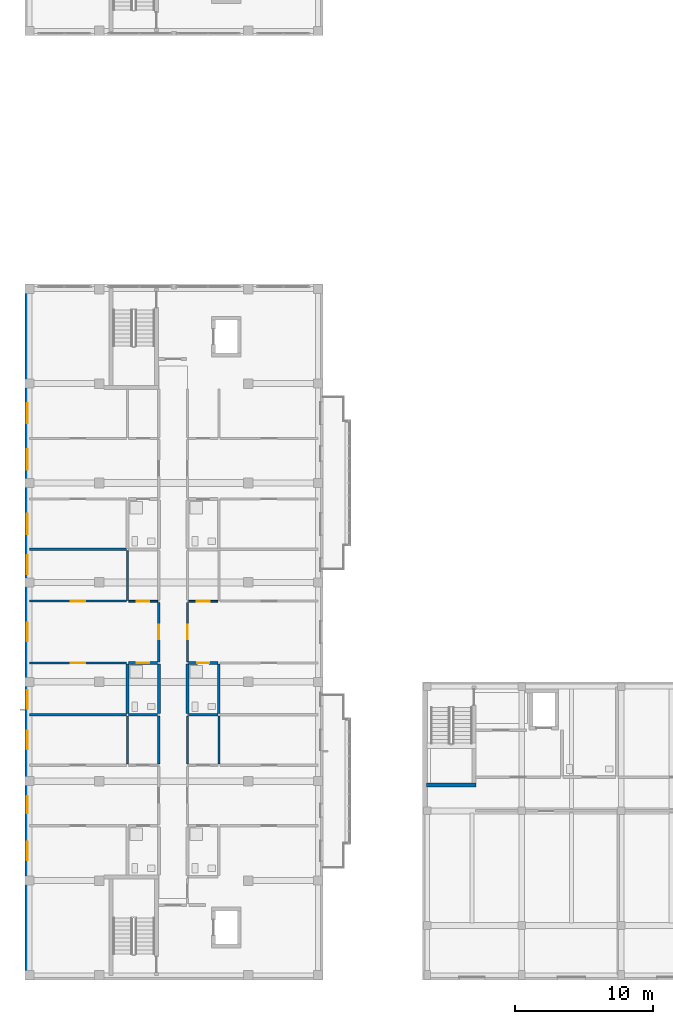
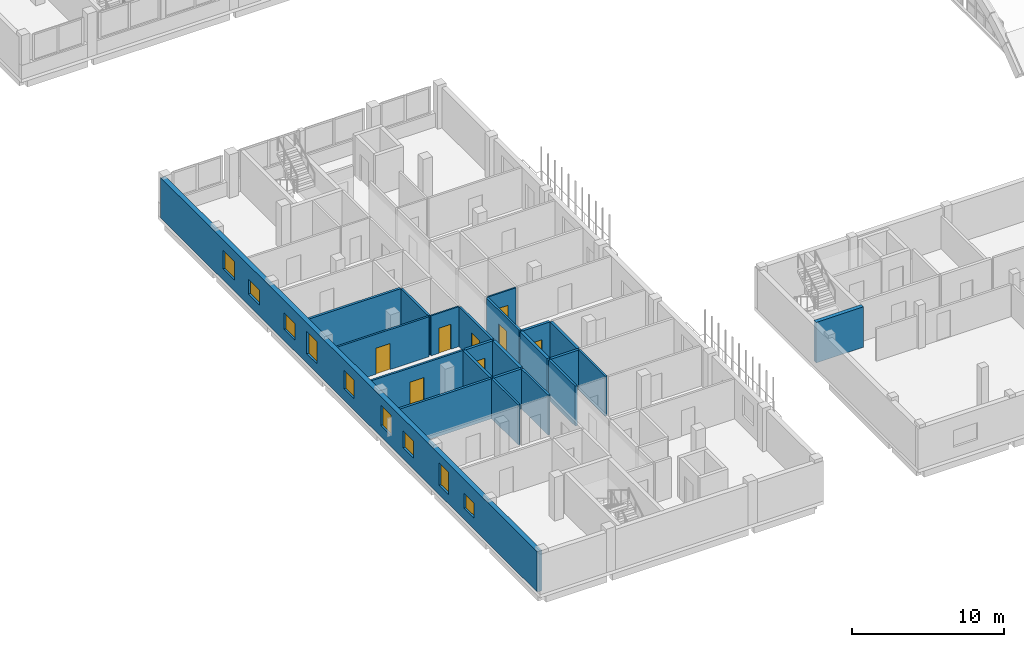
# One storey, part 36 of 73: 23 walls, 9 windows, 8 doors, 17 openings.
"""IFC4 building model written with IfcOpenShell, lengths in metres."""

from ifc_helpers import new_model, si_unit, derived_unit, direction, frame, frame_2d, origin, place, context, subcontext, project, spatial, rectangle, extrude, material, layer, layer_set, type_object, element, fill, save


model = new_model("IFC4")

# Units and contexts
model_context = context("Model", 3, precision=1e-05, world=origin(), true_north=direction((0.0, 1.0)))
body_context = subcontext(model_context, "Body", "Model", "MODEL_VIEW")
ifc_project = project(units=[si_unit("LENGTHUNIT", "METRE"), si_unit("AREAUNIT", "SQUARE_METRE"), si_unit("VOLUMEUNIT", "CUBIC_METRE"), si_unit("PLANEANGLEUNIT", "RADIAN"), si_unit("MASSUNIT", "GRAM", prefix="KILO"), derived_unit("THERMALTRANSMITTANCEUNIT", [(si_unit("MASSUNIT", "GRAM", prefix="KILO"), 1), (si_unit("TIMEUNIT", "SECOND"), -3), (si_unit("THERMODYNAMICTEMPERATUREUNIT", "KELVIN"), -1)])], contexts=[model_context])

# Site, building, storey
site_placement = place(None, origin())
site = spatial("IfcSite", under=ifc_project, at=site_placement, CompositionType="ELEMENT")
building_placement = place(site_placement, origin())
building = spatial("IfcBuilding", under=site, at=building_placement, Name="Ochrekiln Boulevard Commons", CompositionType="ELEMENT")
storey_placement = place(building_placement, frame((0.0, 0.0, 8.574951171875)))
storey = spatial("IfcBuildingStorey", under=building, at=storey_placement, Name="L02", CompositionType="ELEMENT", Elevation=8.574951171875)

# Wall, openings, windows
ifc_material_1 = material(Name="Iron-spot brown clinker brick masonry ASTM C216 Grade SW", Category="masonry")
ifc_layer_1 = layer(ifc_material_1, 0.364990234375)
ifc_layer_set_1 = layer_set([ifc_layer_1], Name="Iron-spot brown clinker brick masonry ASTM C216 Grade SW")
wall_type_1 = type_object("IfcWallType", Name="WL-EXT-IRON-365", PredefinedType="SOLIDWALL", material=ifc_layer_set_1)
wall_1_placement = place(storey_placement, frame((0.1826171875, 0.364990234375, 0.0), z_axis=(0.0, 0.0, 1.0), x_axis=(0.0, 1.0, 0.0)))
wall_1 = element("IfcWall", 1, at=wall_1_placement, inside=storey, type_object=wall_type_1, Name="Block D L02 W Exterior Wall", PredefinedType="SOLIDWALL", context=body_context, shape_type="SweptSolid", body=[
    extrude(rectangle(XDim=49.669921875, YDim=0.364990234375, at=frame_2d((24.8349609375, 0.0))), origin(), (0.0, 0.0, 1.0), 3.239990234375),
])
opening_1_placement = place(wall_1_placement, frame((11.700927734375, 0.0, 0.7548828125)))
opening_1 = element("IfcOpeningElement", 2, at=opening_1_placement, cuts=wall_1, Name="Opening W-20", PredefinedType="OPENING", context=body_context, shape_type="SweptSolid", body=[
    extrude(rectangle(XDim=1.25, YDim=1.800048828125, at=frame_2d((0.625, 0.89990234375))), frame((0.0, 0.1923828125, 0.0), z_axis=(0.0, -1.0, 0.0), x_axis=(1.0, 0.0, 0.0)), (0.0, 0.0, 1.0), 0.385009765625),
])
opening_2_placement = place(wall_1_placement, frame((8.305908203125, 0.0, 0.89990234375)))
opening_2 = element("IfcOpeningElement", 3, at=opening_2_placement, cuts=wall_1, Name="Opening W-21", PredefinedType="OPENING", context=body_context, shape_type="SweptSolid", body=[
    extrude(rectangle(XDim=1.35009765625, YDim=1.199951171875, at=frame_2d((0.675048828125, 0.60009765625))), frame((0.0, 0.1923828125, 0.0), z_axis=(0.0, -1.0, 0.0), x_axis=(1.0, 0.0, 0.0)), (0.0, 0.0, 1.0), 0.385009765625),
])
opening_3_placement = place(wall_1_placement, frame((16.340087890625, 0.0, 0.89990234375)))
opening_3 = element("IfcOpeningElement", 4, at=opening_3_placement, cuts=wall_1, Name="Opening W-22", PredefinedType="OPENING", context=body_context, shape_type="SweptSolid", body=[
    extrude(rectangle(XDim=1.35009765625, YDim=1.35009765625, at=frame_2d((0.675048828125, 0.675048828125))), frame((0.0, 0.1923828125, 0.0), z_axis=(0.0, -1.0, 0.0), x_axis=(1.0, 0.0, 0.0)), (0.0, 0.0, 1.0), 0.385009765625),
])
opening_4_placement = place(wall_1_placement, frame((24.159912109375, 0.0, 0.89990234375)))
opening_4 = element("IfcOpeningElement", 5, at=opening_4_placement, cuts=wall_1, Name="Opening W-23", PredefinedType="OPENING", context=body_context, shape_type="SweptSolid", body=[
    extrude(rectangle(XDim=1.35009765625, YDim=1.5, at=frame_2d((0.675048828125, 0.75))), frame((0.0, 0.1923828125, 0.0), z_axis=(0.0, -1.0, 0.0), x_axis=(1.0, 0.0, 0.0)), (0.0, 0.0, 1.0), 0.385009765625),
])
opening_5_placement = place(wall_1_placement, frame((19.278076171875, 0.0, 0.89990234375)))
opening_5 = element("IfcOpeningElement", 6, at=opening_5_placement, cuts=wall_1, Name="Opening W-24", PredefinedType="OPENING", context=body_context, shape_type="SweptSolid", body=[
    extrude(rectangle(XDim=1.35009765625, YDim=1.64990234375, at=frame_2d((0.675048828125, 0.824951171875))), frame((0.0, 0.1923828125, 0.0), z_axis=(0.0, -1.0, 0.0), x_axis=(1.0, 0.0, 0.0)), (0.0, 0.0, 1.0), 0.385009765625),
])
opening_6_placement = place(wall_1_placement, frame((29.0419921875, 0.0, 0.7548828125)))
opening_6 = element("IfcOpeningElement", 7, at=opening_6_placement, cuts=wall_1, Name="Opening W-25", PredefinedType="OPENING", context=body_context, shape_type="SweptSolid", body=[
    extrude(rectangle(XDim=1.35009765625, YDim=1.800048828125, at=frame_2d((0.675048828125, 0.89990234375))), frame((0.0, 0.1923828125, 0.0), z_axis=(0.0, -1.0, 0.0), x_axis=(1.0, 0.0, 0.0)), (0.0, 0.0, 1.0), 0.385009765625),
])
opening_7_placement = place(wall_1_placement, frame((36.60302734375, 0.0, 0.89990234375)))
opening_7 = element("IfcOpeningElement", 8, at=opening_7_placement, cuts=wall_1, Name="Opening W-26", PredefinedType="OPENING", context=body_context, shape_type="SweptSolid", body=[
    extrude(rectangle(XDim=1.47998046875, YDim=1.199951171875, at=frame_2d((0.739990234375, 0.60009765625))), frame((0.0, 0.1923828125, 0.0), z_axis=(0.0, -1.0, 0.0), x_axis=(1.0, 0.0, 0.0)), (0.0, 0.0, 1.0), 0.385009765625),
])
opening_8_placement = place(wall_1_placement, frame((31.9150390625, 0.0, 0.89990234375)))
opening_8 = element("IfcOpeningElement", 9, at=opening_8_placement, cuts=wall_1, Name="Opening W-27", PredefinedType="OPENING", context=body_context, shape_type="SweptSolid", body=[
    extrude(rectangle(XDim=1.47998046875, YDim=1.35009765625, at=frame_2d((0.739990234375, 0.675048828125))), frame((0.0, 0.1923828125, 0.0), z_axis=(0.0, -1.0, 0.0), x_axis=(1.0, 0.0, 0.0)), (0.0, 0.0, 1.0), 0.385009765625),
])
opening_9_placement = place(wall_1_placement, frame((39.947998046875, 0.0, 0.89990234375)))
opening_9 = element("IfcOpeningElement", 10, at=opening_9_placement, cuts=wall_1, Name="Opening W-28", PredefinedType="OPENING", context=body_context, shape_type="SweptSolid", body=[
    extrude(rectangle(XDim=1.47998046875, YDim=1.5, at=frame_2d((0.739990234375, 0.75))), frame((0.0, 0.1923828125, 0.0), z_axis=(0.0, -1.0, 0.0), x_axis=(1.0, 0.0, 0.0)), (0.0, 0.0, 1.0), 0.385009765625),
])
ifc_material_2 = material(Name="Thermally broken aluminium-clad oak frame", Category="aluminium")
window_type_1 = type_object("IfcWindowType", Name="WIN-EXT-20", PartitioningType="SINGLE_PANEL", PredefinedType="WINDOW", material=ifc_material_2)
window_1_placement = place(opening_1_placement, origin())
window_1 = element("IfcWindow", 11, at=window_1_placement, inside=storey, type_object=window_type_1, Name="Block D L02 Punched Masonry Window W-20", OverallHeight=1.800048828125, OverallWidth=1.25, PartitioningType="SINGLE_PANEL", PredefinedType="WINDOW", context=body_context, shape_type="SweptSolid", body=[
    extrude(rectangle(XDim=1.25, YDim=1.800048828125, at=frame_2d((0.625, 0.89990234375))), frame((0.0, 0.030029296875, 0.0), z_axis=(0.0, -1.0, 0.0), x_axis=(1.0, 0.0, 0.0)), (0.0, 0.0, 1.0), 0.06005859375),
])
fill(opening_1, window_1)
window_type_2 = type_object("IfcWindowType", Name="WIN-EXT-21", PartitioningType="SINGLE_PANEL", PredefinedType="WINDOW", material=ifc_material_2)
window_2_placement = place(opening_2_placement, origin())
window_2 = element("IfcWindow", 12, at=window_2_placement, inside=storey, type_object=window_type_2, Name="Block D L02 Punched Masonry Window W-21", OverallHeight=1.199951171875, OverallWidth=1.35009765625, PartitioningType="SINGLE_PANEL", PredefinedType="WINDOW", context=body_context, shape_type="SweptSolid", body=[
    extrude(rectangle(XDim=1.35009765625, YDim=1.199951171875, at=frame_2d((0.675048828125, 0.60009765625))), frame((0.0, 0.030029296875, 0.0), z_axis=(0.0, -1.0, 0.0), x_axis=(1.0, 0.0, 0.0)), (0.0, 0.0, 1.0), 0.06005859375),
])
fill(opening_2, window_2)
window_type_3 = type_object("IfcWindowType", Name="WIN-EXT-22", PartitioningType="SINGLE_PANEL", PredefinedType="WINDOW", material=ifc_material_2)
window_3_placement = place(opening_3_placement, origin())
window_3 = element("IfcWindow", 13, at=window_3_placement, inside=storey, type_object=window_type_3, Name="Block D L02 Punched Masonry Window W-22", OverallHeight=1.35009765625, OverallWidth=1.35009765625, PartitioningType="SINGLE_PANEL", PredefinedType="WINDOW", context=body_context, shape_type="SweptSolid", body=[
    extrude(rectangle(XDim=1.35009765625, YDim=1.35009765625, at=frame_2d((0.675048828125, 0.675048828125))), frame((0.0, 0.030029296875, 0.0), z_axis=(0.0, -1.0, 0.0), x_axis=(1.0, 0.0, 0.0)), (0.0, 0.0, 1.0), 0.06005859375),
])
fill(opening_3, window_3)
window_type_4 = type_object("IfcWindowType", Name="WIN-EXT-23", PartitioningType="SINGLE_PANEL", PredefinedType="WINDOW", material=ifc_material_2)
window_4_placement = place(opening_4_placement, origin())
window_4 = element("IfcWindow", 14, at=window_4_placement, inside=storey, type_object=window_type_4, Name="Block D L02 Punched Masonry Window W-23", OverallHeight=1.5, OverallWidth=1.35009765625, PartitioningType="SINGLE_PANEL", PredefinedType="WINDOW", context=body_context, shape_type="SweptSolid", body=[
    extrude(rectangle(XDim=1.35009765625, YDim=1.5, at=frame_2d((0.675048828125, 0.75))), frame((0.0, 0.030029296875, 0.0), z_axis=(0.0, -1.0, 0.0), x_axis=(1.0, 0.0, 0.0)), (0.0, 0.0, 1.0), 0.06005859375),
])
fill(opening_4, window_4)
window_type_5 = type_object("IfcWindowType", Name="WIN-EXT-24", PartitioningType="SINGLE_PANEL", PredefinedType="WINDOW", material=ifc_material_2)
window_5_placement = place(opening_5_placement, origin())
window_5 = element("IfcWindow", 15, at=window_5_placement, inside=storey, type_object=window_type_5, Name="Block D L02 Punched Masonry Window W-24", OverallHeight=1.64990234375, OverallWidth=1.35009765625, PartitioningType="SINGLE_PANEL", PredefinedType="WINDOW", context=body_context, shape_type="SweptSolid", body=[
    extrude(rectangle(XDim=1.35009765625, YDim=1.64990234375, at=frame_2d((0.675048828125, 0.824951171875))), frame((0.0, 0.030029296875, 0.0), z_axis=(0.0, -1.0, 0.0), x_axis=(1.0, 0.0, 0.0)), (0.0, 0.0, 1.0), 0.06005859375),
])
fill(opening_5, window_5)
window_type_6 = type_object("IfcWindowType", Name="WIN-EXT-25", PartitioningType="SINGLE_PANEL", PredefinedType="WINDOW", material=ifc_material_2)
window_6_placement = place(opening_6_placement, origin())
window_6 = element("IfcWindow", 16, at=window_6_placement, inside=storey, type_object=window_type_6, Name="Block D L02 Punched Masonry Window W-25", OverallHeight=1.800048828125, OverallWidth=1.35009765625, PartitioningType="SINGLE_PANEL", PredefinedType="WINDOW", context=body_context, shape_type="SweptSolid", body=[
    extrude(rectangle(XDim=1.35009765625, YDim=1.800048828125, at=frame_2d((0.675048828125, 0.89990234375))), frame((0.0, 0.030029296875, 0.0), z_axis=(0.0, -1.0, 0.0), x_axis=(1.0, 0.0, 0.0)), (0.0, 0.0, 1.0), 0.06005859375),
])
fill(opening_6, window_6)
window_type_7 = type_object("IfcWindowType", Name="WIN-EXT-26", PartitioningType="SINGLE_PANEL", PredefinedType="WINDOW", material=ifc_material_2)
window_7_placement = place(opening_7_placement, origin())
window_7 = element("IfcWindow", 17, at=window_7_placement, inside=storey, type_object=window_type_7, Name="Block D L02 Punched Masonry Window W-26", OverallHeight=1.199951171875, OverallWidth=1.47998046875, PartitioningType="SINGLE_PANEL", PredefinedType="WINDOW", context=body_context, shape_type="SweptSolid", body=[
    extrude(rectangle(XDim=1.47998046875, YDim=1.199951171875, at=frame_2d((0.739990234375, 0.60009765625))), frame((0.0, 0.030029296875, 0.0), z_axis=(0.0, -1.0, 0.0), x_axis=(1.0, 0.0, 0.0)), (0.0, 0.0, 1.0), 0.06005859375),
])
fill(opening_7, window_7)
window_type_8 = type_object("IfcWindowType", Name="WIN-EXT-27", PartitioningType="SINGLE_PANEL", PredefinedType="WINDOW", material=ifc_material_2)
window_8_placement = place(opening_8_placement, origin())
window_8 = element("IfcWindow", 18, at=window_8_placement, inside=storey, type_object=window_type_8, Name="Block D L02 Punched Masonry Window W-27", OverallHeight=1.35009765625, OverallWidth=1.47998046875, PartitioningType="SINGLE_PANEL", PredefinedType="WINDOW", context=body_context, shape_type="SweptSolid", body=[
    extrude(rectangle(XDim=1.47998046875, YDim=1.35009765625, at=frame_2d((0.739990234375, 0.675048828125))), frame((0.0, 0.030029296875, 0.0), z_axis=(0.0, -1.0, 0.0), x_axis=(1.0, 0.0, 0.0)), (0.0, 0.0, 1.0), 0.06005859375),
])
fill(opening_8, window_8)
window_type_9 = type_object("IfcWindowType", Name="WIN-EXT-28", PartitioningType="SINGLE_PANEL", PredefinedType="WINDOW", material=ifc_material_2)
window_9_placement = place(opening_9_placement, origin())
window_9 = element("IfcWindow", 19, at=window_9_placement, inside=storey, type_object=window_type_9, Name="Block D L02 Punched Masonry Window W-28", OverallHeight=1.5, OverallWidth=1.47998046875, PartitioningType="SINGLE_PANEL", PredefinedType="WINDOW", context=body_context, shape_type="SweptSolid", body=[
    extrude(rectangle(XDim=1.47998046875, YDim=1.5, at=frame_2d((0.739990234375, 0.75))), frame((0.0, 0.030029296875, 0.0), z_axis=(0.0, -1.0, 0.0), x_axis=(1.0, 0.0, 0.0)), (0.0, 0.0, 1.0), 0.06005859375),
])
fill(opening_9, window_9)

# Wall
ifc_material_3 = material(Name="Moisture-resistant cementitious tile backer wall")
ifc_layer_2 = layer(ifc_material_3, 0.199951171875)
ifc_layer_set_2 = layer_set([ifc_layer_2], Name="Moisture-resistant cementitious tile backer wall")
wall_type_2 = type_object("IfcWallType", Name="WL-PLM-200", PredefinedType="PLUMBINGWALL", material=ifc_layer_set_2)
wall_2_placement = place(storey_placement, frame((7.52001953125, 19.216064453125, 0.0), z_axis=(0.0, 0.0, 1.0), x_axis=(1.0, 0.0, 0.0)))
element("IfcWall", 20, at=wall_2_placement, inside=storey, type_object=wall_type_2, Name="L02 Interior Wall W-PW200", PredefinedType="PLUMBINGWALL", context=body_context, shape_type="SweptSolid", body=[
    extrude(rectangle(XDim=2.10791015625, YDim=0.199951171875, at=frame_2d((1.053955078125, 0.0))), origin(), (0.0, 0.0, 1.0), 3.219970703125),
])

# Wall, opening, door
wall_3_placement = place(storey_placement, frame((7.52001953125, 22.9599609375, 0.0), z_axis=(0.0, 0.0, 1.0), x_axis=(1.0, 0.0, 0.0)))
wall_3 = element("IfcWall", 21, at=wall_3_placement, inside=storey, type_object=wall_type_2, Name="L02 Interior Wall W-PW200", PredefinedType="PLUMBINGWALL", context=body_context, shape_type="SweptSolid", body=[
    extrude(rectangle(XDim=2.10791015625, YDim=0.199951171875, at=frame_2d((1.053955078125, 0.0))), origin(), (0.0, 0.0, 1.0), 3.219970703125),
])
opening_10_placement = place(wall_3_placement, frame((0.60498046875, 0.0, 0.0)))
opening_10 = element("IfcOpeningElement", 22, at=opening_10_placement, cuts=wall_3, Name="Opening D-L02-410", PredefinedType="OPENING", context=body_context, shape_type="SweptSolid", body=[
    extrude(rectangle(XDim=0.889892578125, YDim=2.030029296875, at=frame_2d((0.44482421875, 1.01513671875))), frame((0.0, 0.10986328125, 0.0), z_axis=(0.0, -1.0, 0.0), x_axis=(1.0, 0.0, 0.0)), (0.0, 0.0, 1.0), 0.219970703125),
])
ifc_material_4 = material(Name="Solid core architectural oak door leaf")
door_type_1 = type_object("IfcDoorType", Name="DR-INT-BTH-089", OperationType="NOTDEFINED", PredefinedType="DOOR", material=ifc_material_4)
door_1_placement = place(opening_10_placement, frame((0.889892578125, 0.0, 0.0), z_axis=(0.0, 0.0, 1.0), x_axis=(-1.0, 0.0, 0.0)))
door_1 = element("IfcDoor", 23, at=door_1_placement, inside=storey, type_object=door_type_1, Name="L02 Interior Door to Apartment Bathroom", OperationType="SINGLE_SWING_RIGHT", OverallHeight=2.030029296875, OverallWidth=0.889892578125, PredefinedType="DOOR", context=body_context, shape_type="SweptSolid", body=[
    extrude(rectangle(XDim=0.889892578125, YDim=2.030029296875, at=frame_2d((0.44482421875, 1.01513671875))), frame((0.0, 0.02490234375, 0.0), z_axis=(0.0, -1.0, 0.0), x_axis=(1.0, 0.0, 0.0)), (0.0, 0.0, 1.0), 0.050048828125),
])
fill(opening_10, door_1)

# Walls
wall_4_placement = place(storey_placement, frame((7.43994140625, 19.305908203125, 0.0), z_axis=(0.0, 0.0, 1.0), x_axis=(0.0, 1.0, 0.0)))
element("IfcWall", 24, at=wall_4_placement, inside=storey, type_object=wall_type_2, Name="L02 Interior Wall W-PW200", PredefinedType="PLUMBINGWALL", context=body_context, shape_type="SweptSolid", body=[
    extrude(rectangle(XDim=3.5791015625, YDim=0.199951171875, at=frame_2d((1.78955078125, 0.0))), origin(), (0.0, 0.0, 1.0), 3.219970703125),
])
wall_5_placement = place(storey_placement, frame((11.8720703125, 19.216064453125, 0.0), z_axis=(0.0, 0.0, 1.0), x_axis=(1.0, 0.0, 0.0)))
element("IfcWall", 25, at=wall_5_placement, inside=storey, type_object=wall_type_2, Name="L02 Interior Wall W-PW200", PredefinedType="PLUMBINGWALL", context=body_context, shape_type="SweptSolid", body=[
    extrude(rectangle(XDim=2.113037109375, YDim=0.199951171875, at=frame_2d((1.056640625, 0.0))), origin(), (0.0, 0.0, 1.0), 3.219970703125),
])

# Wall, opening, door
wall_6_placement = place(storey_placement, frame((11.8720703125, 22.9599609375, 0.0), z_axis=(0.0, 0.0, 1.0), x_axis=(1.0, 0.0, 0.0)))
wall_6 = element("IfcWall", 26, at=wall_6_placement, inside=storey, type_object=wall_type_2, Name="L02 Interior Wall W-PW200", PredefinedType="PLUMBINGWALL", context=body_context, shape_type="SweptSolid", body=[
    extrude(rectangle(XDim=2.10791015625, YDim=0.199951171875, at=frame_2d((1.053955078125, 0.0))), origin(), (0.0, 0.0, 1.0), 3.219970703125),
])
opening_11_placement = place(wall_6_placement, frame((0.6279296875, 0.0, 0.0)))
opening_11 = element("IfcOpeningElement", 27, at=opening_11_placement, cuts=wall_6, Name="Opening D-L02-422", PredefinedType="OPENING", context=body_context, shape_type="SweptSolid", body=[
    extrude(rectangle(XDim=0.860107421875, YDim=2.0, at=frame_2d((0.43017578125, 1.0))), frame((0.0, 0.10986328125, 0.0), z_axis=(0.0, -1.0, 0.0), x_axis=(1.0, 0.0, 0.0)), (0.0, 0.0, 1.0), 0.219970703125),
])
door_type_2 = type_object("IfcDoorType", Name="DR-INT-BTH-086", OperationType="NOTDEFINED", PredefinedType="DOOR", material=ifc_material_4)
door_2_placement = place(opening_11_placement, frame((0.860107421875, 0.0, 0.0), z_axis=(0.0, 0.0, 1.0), x_axis=(-1.0, 0.0, 0.0)))
door_2 = element("IfcDoor", 28, at=door_2_placement, inside=storey, type_object=door_type_2, Name="L02 Interior Door to Apartment Bathroom", OperationType="SINGLE_SWING_RIGHT", OverallHeight=2.0, OverallWidth=0.860107421875, PredefinedType="DOOR", context=body_context, shape_type="SweptSolid", body=[
    extrude(rectangle(XDim=0.860107421875, YDim=2.0, at=frame_2d((0.43017578125, 1.0))), frame((0.0, 0.02490234375, 0.0), z_axis=(0.0, -1.0, 0.0), x_axis=(1.0, 0.0, 0.0)), (0.0, 0.0, 1.0), 0.050048828125),
])
fill(opening_11, door_2)

# Walls
wall_7_placement = place(storey_placement, frame((14.06005859375, 19.305908203125, 0.0), z_axis=(0.0, 0.0, 1.0), x_axis=(0.0, 1.0, 0.0)))
element("IfcWall", 29, at=wall_7_placement, inside=storey, type_object=wall_type_2, Name="L02 Interior Wall W-PW200", PredefinedType="PLUMBINGWALL", context=body_context, shape_type="SweptSolid", body=[
    extrude(rectangle(XDim=3.5791015625, YDim=0.199951171875, at=frame_2d((1.78955078125, 0.0))), origin(), (0.0, 0.0, 1.0), 3.219970703125),
])
ifc_layer_3 = layer(ifc_material_3, 0.219970703125)
ifc_layer_set_3 = layer_set([ifc_layer_3], Name="Moisture-resistant cementitious tile backer wall")
wall_type_3 = type_object("IfcWallType", Name="WL-PLM-220", PredefinedType="PLUMBINGWALL", material=ifc_layer_set_3)
for number, where, z_axis, x_axis, name in (
    (30, (9.7099609375, 19.305908203125, 0.0), (0.0, 0.0, 1.0), (0.0, 1.0, 0.0), "L02 Interior Wall W-PW220"),
    (31, (11.7900390625, 19.305908203125, 0.0), (0.0, 0.0, 1.0), (0.0, 1.0, 0.0), "L02 Interior Wall W-PW220"),
):
    element("IfcWall", number, at=place(storey_placement, frame(where, z_axis=z_axis, x_axis=x_axis)), inside=storey, type_object=wall_type_3, Name=name, PredefinedType="PLUMBINGWALL", context=body_context, shape_type="SweptSolid", body=[
        extrude(rectangle(XDim=3.573974609375, YDim=0.219970703125, at=frame_2d((1.787109375, 0.0))), origin(), (0.0, 0.0, 1.0), 3.219970703125),
    ])
ifc_material_5 = material(Name="Fire-rated Type X gypsum board on steel studs", Category="steel")
ifc_layer_4 = layer(ifc_material_5, 0.1650390625)
ifc_layer_set_4 = layer_set([ifc_layer_4], Name="Fire-rated Type X gypsum board on steel studs")
wall_type_4 = type_object("IfcWallType", Name="WL-PT-CORR-165", PredefinedType="PARTITIONING", material=ifc_layer_set_4)
wall_8_placement = place(storey_placement, frame((9.7099609375, 15.633056640625, 0.0), z_axis=(0.0, 0.0, 1.0), x_axis=(0.0, 1.0, 0.0)))
element("IfcWall", 32, at=wall_8_placement, inside=storey, type_object=wall_type_4, Name="L02 Interior Wall W-PC165", PredefinedType="PARTITIONING", context=body_context, shape_type="SweptSolid", body=[
    extrude(rectangle(XDim=3.492919921875, YDim=0.1650390625, at=frame_2d((1.74658203125, 0.0))), origin(), (0.0, 0.0, 1.0), 3.219970703125),
])

# Wall, opening, door
wall_9_placement = place(storey_placement, frame((9.7099609375, 23.0400390625, 0.0), z_axis=(0.0, 0.0, 1.0), x_axis=(0.0, 1.0, 0.0)))
wall_9 = element("IfcWall", 33, at=wall_9_placement, inside=storey, type_object=wall_type_4, Name="L02 Interior Wall W-PC165", PredefinedType="PARTITIONING", context=body_context, shape_type="SweptSolid", body=[
    extrude(rectangle(XDim=4.320068359375, YDim=0.1650390625, at=frame_2d((2.16015625, 0.0))), origin(), (0.0, 0.0, 1.0), 3.219970703125),
])
opening_12_placement = place(wall_9_placement, frame((1.635009765625, 0.0, 0.0)))
opening_12 = element("IfcOpeningElement", 34, at=opening_12_placement, cuts=wall_9, Name="Opening D-L02-401", PredefinedType="OPENING", context=body_context, shape_type="SweptSolid", body=[
    extrude(rectangle(XDim=1.050048828125, YDim=2.1298828125, at=frame_2d((0.52490234375, 1.06494140625))), frame((0.0, 0.092529296875, 0.0), z_axis=(0.0, -1.0, 0.0), x_axis=(1.0, 0.0, 0.0)), (0.0, 0.0, 1.0), 0.18505859375),
])
door_type_3 = type_object("IfcDoorType", Name="DR-INT-APT-105", OperationType="NOTDEFINED", PredefinedType="DOOR", material=ifc_material_4)
door_3_placement = place(opening_12_placement, origin())
door_3 = element("IfcDoor", 35, at=door_3_placement, inside=storey, type_object=door_type_3, Name="L02 Interior Door to Two-Bedroom Apartment Living Room", OperationType="SINGLE_SWING_LEFT", OverallHeight=2.1298828125, OverallWidth=1.050048828125, PredefinedType="DOOR", context=body_context, shape_type="SweptSolid", body=[
    extrude(rectangle(XDim=1.050048828125, YDim=2.1298828125, at=frame_2d((0.52490234375, 1.06494140625))), frame((0.0, 0.02490234375, 0.0), z_axis=(0.0, -1.0, 0.0), x_axis=(1.0, 0.0, 0.0)), (0.0, 0.0, 1.0), 0.050048828125),
])
fill(opening_12, door_3)

# Wall
wall_10_placement = place(storey_placement, frame((11.7900390625, 15.633056640625, 0.0), z_axis=(0.0, 0.0, 1.0), x_axis=(0.0, 1.0, 0.0)))
element("IfcWall", 36, at=wall_10_placement, inside=storey, type_object=wall_type_4, Name="L02 Interior Wall W-PC165", PredefinedType="PARTITIONING", context=body_context, shape_type="SweptSolid", body=[
    extrude(rectangle(XDim=3.492919921875, YDim=0.1650390625, at=frame_2d((1.74658203125, 0.0))), origin(), (0.0, 0.0, 1.0), 3.219970703125),
])

# Wall, opening, door
wall_11_placement = place(storey_placement, frame((11.7900390625, 23.0400390625, 0.0), z_axis=(0.0, 0.0, 1.0), x_axis=(0.0, 1.0, 0.0)))
wall_11 = element("IfcWall", 37, at=wall_11_placement, inside=storey, type_object=wall_type_4, Name="L02 Interior Wall W-PC165", PredefinedType="PARTITIONING", context=body_context, shape_type="SweptSolid", body=[
    extrude(rectangle(XDim=4.320068359375, YDim=0.1650390625, at=frame_2d((2.16015625, 0.0))), origin(), (0.0, 0.0, 1.0), 3.219970703125),
])
opening_13_placement = place(wall_11_placement, frame((1.635009765625, 0.0, 0.0)))
opening_13 = element("IfcOpeningElement", 38, at=opening_13_placement, cuts=wall_11, Name="Opening D-L02-404", PredefinedType="OPENING", context=body_context, shape_type="SweptSolid", body=[
    extrude(rectangle(XDim=1.050048828125, YDim=2.1298828125, at=frame_2d((0.52490234375, 1.06494140625))), frame((0.0, 0.092529296875, 0.0), z_axis=(0.0, -1.0, 0.0), x_axis=(1.0, 0.0, 0.0)), (0.0, 0.0, 1.0), 0.18505859375),
])
door_4_placement = place(opening_13_placement, frame((1.050048828125, 0.0, 0.0), z_axis=(0.0, 0.0, 1.0), x_axis=(-1.0, 0.0, 0.0)))
door_4 = element("IfcDoor", 39, at=door_4_placement, inside=storey, type_object=door_type_3, Name="L02 Interior Door to Two-Bedroom Apartment Living Room", OperationType="SINGLE_SWING_RIGHT", OverallHeight=2.1298828125, OverallWidth=1.050048828125, PredefinedType="DOOR", context=body_context, shape_type="SweptSolid", body=[
    extrude(rectangle(XDim=1.050048828125, YDim=2.1298828125, at=frame_2d((0.52490234375, 1.06494140625))), frame((0.0, 0.02490234375, 0.0), z_axis=(0.0, -1.0, 0.0), x_axis=(1.0, 0.0, 0.0)), (0.0, 0.0, 1.0), 0.050048828125),
])
fill(opening_13, door_4)

# Walls
ifc_layer_5 = layer(ifc_material_5, 0.179931640625)
ifc_layer_set_5 = layer_set([ifc_layer_5], Name="Fire-rated Type X gypsum board on steel studs")
wall_type_5 = type_object("IfcWallType", Name="WL-PT-DEM-180", PredefinedType="PARTITIONING", material=ifc_layer_set_5)
for number, where, z_axis, x_axis, name in (
    (40, (0.35009765625, 19.216064453125, 0.0), (0.0, 0.0, 1.0), (1.0, 0.0, 0.0), "L02 Interior Wall W-PD180"),
    (41, (0.35009765625, 31.18408203125, 0.0), (0.0, 0.0, 1.0), (1.0, 0.0, 0.0), "L02 Interior Wall W-PD180"),
):
    element("IfcWall", number, at=place(storey_placement, frame(where, z_axis=z_axis, x_axis=x_axis)), inside=storey, type_object=wall_type_5, Name=name, PredefinedType="PARTITIONING", context=body_context, shape_type="SweptSolid", body=[
        extrude(rectangle(XDim=7.010009765625, YDim=0.179931640625, at=frame_2d((3.5048828125, 0.0))), origin(), (0.0, 0.0, 1.0), 3.219970703125),
    ])

# Wall, opening, door
ifc_layer_6 = layer(ifc_material_5, 0.1201171875)
ifc_layer_set_6 = layer_set([ifc_layer_6], Name="Fire-rated Type X gypsum board on steel studs")
wall_type_6 = type_object("IfcWallType", Name="WL-PT-LGT-120", PredefinedType="PARTITIONING", material=ifc_layer_set_6)
wall_12_placement = place(storey_placement, frame((7.52001953125, 27.43994140625, 0.0), z_axis=(0.0, 0.0, 1.0), x_axis=(1.0, 0.0, 0.0)))
wall_12 = element("IfcWall", 42, at=wall_12_placement, inside=storey, type_object=wall_type_6, Name="L02 Interior Wall W-PL120", PredefinedType="PARTITIONING", context=body_context, shape_type="SweptSolid", body=[
    extrude(rectangle(XDim=2.10791015625, YDim=0.1201171875, at=frame_2d((1.053955078125, 0.0))), origin(), (0.0, 0.0, 1.0), 3.219970703125),
])
opening_14_placement = place(wall_12_placement, frame((0.590087890625, 0.0, 0.0)))
opening_14 = element("IfcOpeningElement", 43, at=opening_14_placement, cuts=wall_12, Name="Opening D-L02-411", PredefinedType="OPENING", context=body_context, shape_type="SweptSolid", body=[
    extrude(rectangle(XDim=0.919921875, YDim=2.02001953125, at=frame_2d((0.4599609375, 1.010009765625))), frame((0.0, 0.070068359375, 0.0), z_axis=(0.0, -1.0, 0.0), x_axis=(1.0, 0.0, 0.0)), (0.0, 0.0, 1.0), 0.14013671875),
])
door_type_4 = type_object("IfcDoorType", Name="DR-INT-KIT-092", OperationType="NOTDEFINED", PredefinedType="DOOR", material=ifc_material_4)
door_5_placement = place(opening_14_placement, origin())
door_5 = element("IfcDoor", 44, at=door_5_placement, inside=storey, type_object=door_type_4, Name="L02 Interior Door to Apartment Kitchen", OperationType="SINGLE_SWING_LEFT", OverallHeight=2.02001953125, OverallWidth=0.919921875, PredefinedType="DOOR", context=body_context, shape_type="SweptSolid", body=[
    extrude(rectangle(XDim=0.919921875, YDim=2.02001953125, at=frame_2d((0.4599609375, 1.010009765625))), frame((0.0, 0.02490234375, 0.0), z_axis=(0.0, -1.0, 0.0), x_axis=(1.0, 0.0, 0.0)), (0.0, 0.0, 1.0), 0.050048828125),
])
fill(opening_14, door_5)

wall_13_placement = place(storey_placement, frame((11.8720703125, 27.43994140625, 0.0), z_axis=(0.0, 0.0, 1.0), x_axis=(1.0, 0.0, 0.0)))
wall_13 = element("IfcWall", 45, at=wall_13_placement, inside=storey, type_object=wall_type_6, Name="L02 Interior Wall W-PL120", PredefinedType="PARTITIONING", context=body_context, shape_type="SweptSolid", body=[
    extrude(rectangle(XDim=2.10791015625, YDim=0.1201171875, at=frame_2d((1.053955078125, 0.0))), origin(), (0.0, 0.0, 1.0), 3.219970703125),
])
opening_15_placement = place(wall_13_placement, frame((0.597900390625, 0.0, 0.0)))
opening_15 = element("IfcOpeningElement", 46, at=opening_15_placement, cuts=wall_13, Name="Opening D-L02-423", PredefinedType="OPENING", context=body_context, shape_type="SweptSolid", body=[
    extrude(rectangle(XDim=0.919921875, YDim=2.02001953125, at=frame_2d((0.4599609375, 1.010009765625))), frame((0.0, 0.070068359375, 0.0), z_axis=(0.0, -1.0, 0.0), x_axis=(1.0, 0.0, 0.0)), (0.0, 0.0, 1.0), 0.14013671875),
])
door_6_placement = place(opening_15_placement, origin())
door_6 = element("IfcDoor", 47, at=door_6_placement, inside=storey, type_object=door_type_4, Name="L02 Interior Door to Apartment Kitchen", OperationType="SINGLE_SWING_LEFT", OverallHeight=2.02001953125, OverallWidth=0.919921875, PredefinedType="DOOR", context=body_context, shape_type="SweptSolid", body=[
    extrude(rectangle(XDim=0.919921875, YDim=2.02001953125, at=frame_2d((0.4599609375, 1.010009765625))), frame((0.0, 0.02490234375, 0.0), z_axis=(0.0, -1.0, 0.0), x_axis=(1.0, 0.0, 0.0)), (0.0, 0.0, 1.0), 0.050048828125),
])
fill(opening_15, door_6)

# Wall
ifc_layer_7 = layer(ifc_material_5, 0.14990234375)
ifc_layer_set_7 = layer_set([ifc_layer_7], Name="Fire-rated Type X gypsum board on steel studs")
wall_type_7 = type_object("IfcWallType", Name="WL-PT-STD-150", PredefinedType="PARTITIONING", material=ifc_layer_set_7)
wall_14_placement = place(storey_placement, frame((7.43994140625, 15.6279296875, 0.0), z_axis=(0.0, 0.0, 1.0), x_axis=(0.0, 1.0, 0.0)))
element("IfcWall", 48, at=wall_14_placement, inside=storey, type_object=wall_type_7, Name="L02 Interior Wall W-PS150", PredefinedType="PARTITIONING", context=body_context, shape_type="SweptSolid", body=[
    extrude(rectangle(XDim=3.498046875, YDim=0.14990234375, at=frame_2d((1.7490234375, 0.0))), origin(), (0.0, 0.0, 1.0), 3.219970703125),
])

# Wall, opening, door
wall_15_placement = place(storey_placement, frame((0.35009765625, 22.9599609375, 0.0), z_axis=(0.0, 0.0, 1.0), x_axis=(1.0, 0.0, 0.0)))
wall_15 = element("IfcWall", 49, at=wall_15_placement, inside=storey, type_object=wall_type_7, Name="L02 Interior Wall W-PS150", PredefinedType="PARTITIONING", context=body_context, shape_type="SweptSolid", body=[
    extrude(rectangle(XDim=7.010009765625, YDim=0.14990234375, at=frame_2d((3.5048828125, 0.0))), origin(), (0.0, 0.0, 1.0), 3.219970703125),
])
opening_16_placement = place(wall_15_placement, frame((2.985107421875, 0.0, 0.0)))
opening_16 = element("IfcOpeningElement", 50, at=opening_16_placement, cuts=wall_15, Name="Opening D-L02-412", PredefinedType="OPENING", context=body_context, shape_type="SweptSolid", body=[
    extrude(rectangle(XDim=1.0400390625, YDim=2.080078125, at=frame_2d((0.52001953125, 1.0400390625))), frame((0.0, 0.0849609375, 0.0), z_axis=(0.0, -1.0, 0.0), x_axis=(1.0, 0.0, 0.0)), (0.0, 0.0, 1.0), 0.169921875),
])
door_type_5 = type_object("IfcDoorType", Name="DR-INT-BED-104", OperationType="NOTDEFINED", PredefinedType="DOOR", material=ifc_material_4)
door_7_placement = place(opening_16_placement, frame((1.0400390625, 0.0, 0.0), z_axis=(0.0, 0.0, 1.0), x_axis=(-1.0, 0.0, 0.0)))
door_7 = element("IfcDoor", 51, at=door_7_placement, inside=storey, type_object=door_type_5, Name="L02 Interior Door to Primary Apartment Bedroom", OperationType="SINGLE_SWING_RIGHT", OverallHeight=2.080078125, OverallWidth=1.0400390625, PredefinedType="DOOR", context=body_context, shape_type="SweptSolid", body=[
    extrude(rectangle(XDim=1.0400390625, YDim=2.080078125, at=frame_2d((0.52001953125, 1.0400390625))), frame((0.0, 0.02490234375, 0.0), z_axis=(0.0, -1.0, 0.0), x_axis=(1.0, 0.0, 0.0)), (0.0, 0.0, 1.0), 0.050048828125),
])
fill(opening_16, door_7)

wall_16_placement = place(storey_placement, frame((0.35009765625, 27.43994140625, 0.0), z_axis=(0.0, 0.0, 1.0), x_axis=(1.0, 0.0, 0.0)))
wall_16 = element("IfcWall", 52, at=wall_16_placement, inside=storey, type_object=wall_type_7, Name="L02 Interior Wall W-PS150", PredefinedType="PARTITIONING", context=body_context, shape_type="SweptSolid", body=[
    extrude(rectangle(XDim=7.010009765625, YDim=0.14990234375, at=frame_2d((3.5048828125, 0.0))), origin(), (0.0, 0.0, 1.0), 3.219970703125),
])
opening_17_placement = place(wall_16_placement, frame((2.965087890625, 0.0, 0.0)))
opening_17 = element("IfcOpeningElement", 53, at=opening_17_placement, cuts=wall_16, Name="Opening D-L02-413", PredefinedType="OPENING", context=body_context, shape_type="SweptSolid", body=[
    extrude(rectangle(XDim=1.080078125, YDim=2.10009765625, at=frame_2d((0.5400390625, 1.050048828125))), frame((0.0, 0.0849609375, 0.0), z_axis=(0.0, -1.0, 0.0), x_axis=(1.0, 0.0, 0.0)), (0.0, 0.0, 1.0), 0.169921875),
])
door_type_6 = type_object("IfcDoorType", Name="DR-INT-BED-108", OperationType="NOTDEFINED", PredefinedType="DOOR", material=ifc_material_4)
door_8_placement = place(opening_17_placement, origin())
door_8 = element("IfcDoor", 54, at=door_8_placement, inside=storey, type_object=door_type_6, Name="L02 Interior Door to Secondary Apartment Bedroom", OperationType="SINGLE_SWING_LEFT", OverallHeight=2.10009765625, OverallWidth=1.080078125, PredefinedType="DOOR", context=body_context, shape_type="SweptSolid", body=[
    extrude(rectangle(XDim=1.080078125, YDim=2.10009765625, at=frame_2d((0.5400390625, 1.050048828125))), frame((0.0, 0.02490234375, 0.0), z_axis=(0.0, -1.0, 0.0), x_axis=(1.0, 0.0, 0.0)), (0.0, 0.0, 1.0), 0.050048828125),
])
fill(opening_17, door_8)

# Walls
wall_17_placement = place(storey_placement, frame((7.43994140625, 27.5, 0.0), z_axis=(0.0, 0.0, 1.0), x_axis=(0.0, 1.0, 0.0)))
element("IfcWall", 55, at=wall_17_placement, inside=storey, type_object=wall_type_7, Name="L02 Interior Wall W-PS150", PredefinedType="PARTITIONING", context=body_context, shape_type="SweptSolid", body=[
    extrude(rectangle(XDim=3.593994140625, YDim=0.14990234375, at=frame_2d((1.796875, 0.0))), origin(), (0.0, 0.0, 1.0), 3.219970703125),
])
wall_18_placement = place(storey_placement, frame((14.06005859375, 15.6279296875, 0.0), z_axis=(0.0, 0.0, 1.0), x_axis=(0.0, 1.0, 0.0)))
element("IfcWall", 56, at=wall_18_placement, inside=storey, type_object=wall_type_7, Name="L02 Interior Wall W-PS150", PredefinedType="PARTITIONING", context=body_context, shape_type="SweptSolid", body=[
    extrude(rectangle(XDim=3.498046875, YDim=0.14990234375, at=frame_2d((1.7490234375, 0.0))), origin(), (0.0, 0.0, 1.0), 3.219970703125),
])
ifc_material_6 = material(Name="Concrete C40/50", Category="concrete")
ifc_layer_8 = layer(ifc_material_6, 0.300048828125)
ifc_layer_set_8 = layer_set([ifc_layer_8], Name="Concrete C40/50")
wall_type_8 = type_object("IfcWallType", Name="WL-SH-300", PredefinedType="SHEAR", material=ifc_layer_set_8)
wall_19_placement = place(storey_placement, frame((29.10009765625, 14.1298828125, 0.0), z_axis=(0.0, 0.0, 1.0), x_axis=(1.0, 0.0, 0.0)))
element("IfcWall", 57, at=wall_19_placement, inside=storey, type_object=wall_type_8, Name="Stair ST-W1 L02 Core Shear Wall S", PredefinedType="SHEAR", context=body_context, shape_type="SweptSolid", body=[
    extrude(rectangle(XDim=3.599853515625, YDim=0.300048828125, at=frame_2d((1.7998046875, 0.0))), origin(), (0.0, 0.0, 1.0), 3.260009765625),
])

save(model, "model.ifc")
